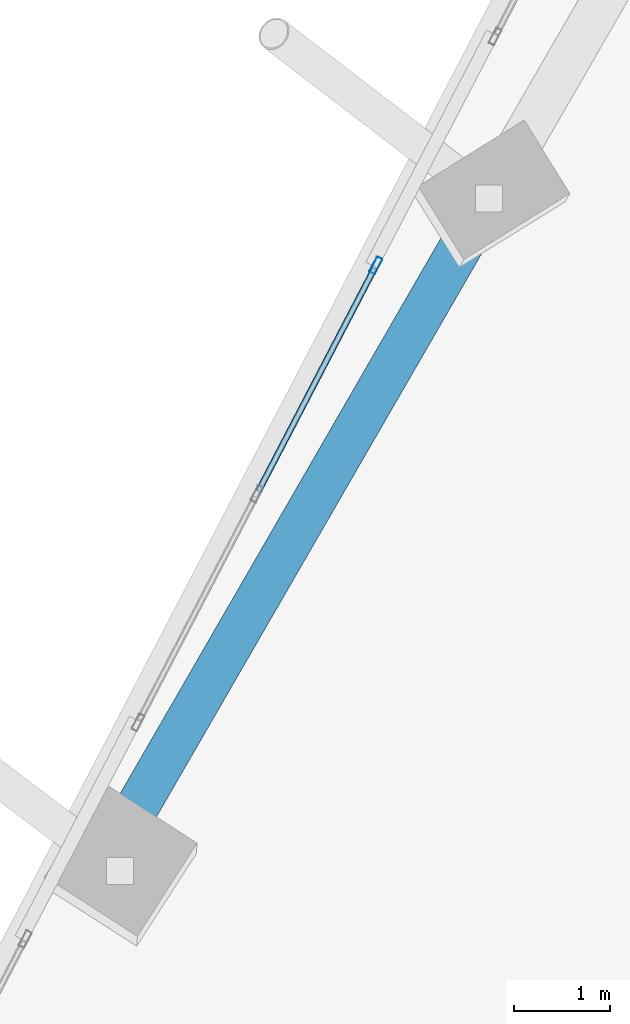
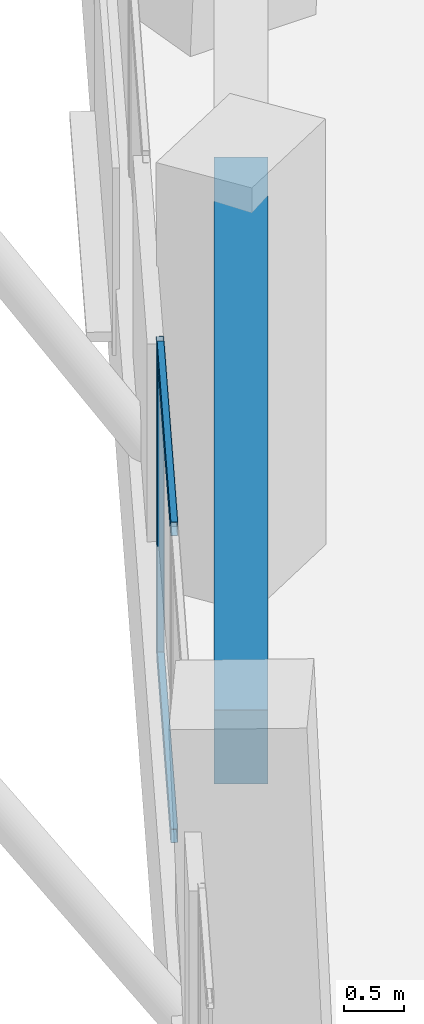
# One storey, part 6 of 22: 3 members, 1 beam, 1 element without a shape of its own.
"""IFC4 building model written with IfcOpenShell, lengths in metres."""

from ifc_helpers import new_model, si_unit, direction, frame, origin, origin_2d, place, context, subcontext, project, spatial, rectangle, hollow_rectangle, extrude, source, transform, mapped, material, material_profile, profile_set, type_object, element, aggregate, save


model = new_model("IFC4")

# Units and contexts
model_context = context("Model", 3, precision=1e-05, world=origin(), true_north=direction((0.0, 1.0)))
body_context = subcontext(model_context, "Body", "Model", "MODEL_VIEW")
ifc_project = project(units=[si_unit("LENGTHUNIT", "METRE"), si_unit("AREAUNIT", "SQUARE_METRE"), si_unit("VOLUMEUNIT", "CUBIC_METRE"), si_unit("PLANEANGLEUNIT", "RADIAN"), si_unit("MASSUNIT", "GRAM", prefix="KILO")], contexts=[model_context])

# Site, building, storey
site_placement = place(None, origin())
site = spatial("IfcSite", under=ifc_project, at=site_placement, CompositionType="ELEMENT")
building_placement = place(site_placement, origin())
building = spatial("IfcBuilding", under=site, at=building_placement, Name="Torre Montelarca", CompositionType="ELEMENT")
storey_placement = place(building_placement, frame((0.0, 0.0, 175.0)))
storey = spatial("IfcBuildingStorey", under=building, at=storey_placement, Name="L39", CompositionType="ELEMENT", Elevation=175.0)

# Beam
ifc_material_1 = material(Name="Concrete C55/67", Category="concrete")
ifc_material_profile_1 = material_profile(ifc_material_1, rectangle(XDim=0.449951171875, YDim=0.75, at=origin_2d()), Name="RCB450X750", Category="concrete")
ifc_profile_set_1 = profile_set([ifc_material_profile_1], Name="Concrete C55/67")
beam_type = type_object("IfcBeamType", Name="BM-SP-RC750-EXT", PredefinedType="SPANDREL", material=ifc_profile_set_1)
shared_shape_1 = source(origin(), body_context, "Body", "SweptSolid", [
    extrude(rectangle(XDim=0.449951171875, YDim=0.75, at=origin_2d()), origin(), (0.0, 0.0, 1.0), 8.0),
])
beam_placement = place(storey_placement, frame((2.907470703125, 33.496826171875, 3.5849609375), z_axis=(0.49999894854, 0.866026010844, 0.0), x_axis=(-0.866026010844, 0.49999894854, 0.0)))
element("IfcBeam", 1, at=beam_placement, inside=storey, type_object=beam_type, Name="L39 Grid Girder Y 24.0-32.0 at X=4.7", PredefinedType="SPANDREL", context=body_context, shape_type="MappedRepresentation", body=[
    mapped(shared_shape_1, transform((0.0, 0.0, 0.0), scale=1.0)),
])

# Curtain wall, members
ifc_material_2 = material(Name="Insulated low-E laminated glass", Category="glass")
curtain_wall_type = type_object("IfcCurtainWallType", Name="CW-SYS-Z2", PredefinedType="USERDEFINED", material=ifc_material_2)
curtain_wall_placement = place(storey_placement, origin())
curtain_wall = element("IfcCurtainWall", 2, at=curtain_wall_placement, inside=storey, type_object=curtain_wall_type, Name="L39 Curtain Wall Run CW-T3-L39-E10-B2", ObjectType="UNITISED GLAZING", PredefinedType="USERDEFINED")
ifc_material_3 = material(Name="Anodised aluminium AA 6063-T6", Category="aluminium")
ifc_material_profile_2 = material_profile(ifc_material_3, hollow_rectangle(XDim=0.06494140625, YDim=0.179931640625, WallThickness=0.00390625, InnerFilletRadius=0.00390625, OuterFilletRadius=0.008056640625, at=origin_2d()), Name="ALU65X180X4", Category="aluminium")
ifc_profile_set_2 = profile_set([ifc_material_profile_2], Name="Anodised aluminium AA 6063-T6")
member_type_1 = type_object("IfcMemberType", Name="CWM-ALU180", PredefinedType="MULLION", material=ifc_profile_set_2)
shared_shape_2 = source(origin(), body_context, "Body", "SweptSolid", [
    extrude(hollow_rectangle(XDim=0.06494140625, YDim=0.179931640625, WallThickness=0.00390625, InnerFilletRadius=0.00390625, OuterFilletRadius=0.008056640625, at=origin_2d()), origin(), (0.0, 0.0, 1.0), 3.175048828125),
])
member_1_placement = place(storey_placement, frame((5.548095703125, 39.407958984375, 0.0), z_axis=(0.0, 0.0, 1.0), x_axis=(0.887014164373, -0.461742214013, 0.0)))
member_1 = element("IfcMember", 3, at=member_1_placement, type_object=member_type_1, Name="CW mullion 1", PredefinedType="MULLION", context=body_context, shape_type="MappedRepresentation", body=[
    mapped(shared_shape_2, transform((0.0, 0.0, 0.0), scale=1.0)),
])
ifc_material_profile_3 = material_profile(ifc_material_3, hollow_rectangle(XDim=0.06494140625, YDim=0.139892578125, WallThickness=0.00390625, InnerFilletRadius=0.00390625, OuterFilletRadius=0.008056640625, at=origin_2d()), Name="ALU65X140X4", Category="aluminium")
ifc_profile_set_3 = profile_set([ifc_material_profile_3], Name="Anodised aluminium AA 6063-T6")
member_type_2 = type_object("IfcMemberType", Name="CWT-ALU140", PredefinedType="USERDEFINED", material=ifc_profile_set_3)
shared_shape_3 = source(origin(), body_context, "Body", "SweptSolid", [
    extrude(hollow_rectangle(XDim=0.06494140625, YDim=0.139892578125, WallThickness=0.00390625, InnerFilletRadius=0.00390625, OuterFilletRadius=0.008056640625, at=origin_2d()), origin(), (0.0, 0.0, 1.0), 2.622802734375),
])
member_2_placement = place(storey_placement, frame((5.533203125, 39.379150390625, 0.032470703125), z_axis=(-0.461713206831, -0.887029263688, 0.0), x_axis=(0.887029263688, -0.461713206831, 0.0)))
member_2 = element("IfcMember", 4, at=member_2_placement, type_object=member_type_2, Name="CW transom 1.1", ObjectType="TRANSOM", PredefinedType="USERDEFINED", context=body_context, shape_type="MappedRepresentation", body=[
    mapped(shared_shape_3, transform((0.0, 0.0, 0.0), scale=1.0)),
])
member_3_placement = place(storey_placement, frame((5.533203125, 39.379150390625, 3.142578125), z_axis=(-0.461713206831, -0.887029263688, 0.0), x_axis=(0.887029263688, -0.461713206831, 0.0)))
member_3 = element("IfcMember", 5, at=member_3_placement, type_object=member_type_2, Name="CW transom 1.2", ObjectType="TRANSOM", PredefinedType="USERDEFINED", context=body_context, shape_type="MappedRepresentation", body=[
    mapped(shared_shape_3, transform((0.0, 0.0, 0.0), scale=1.0)),
])
aggregate(curtain_wall, [member_1, member_2, member_3])

save(model, "model.ifc")
